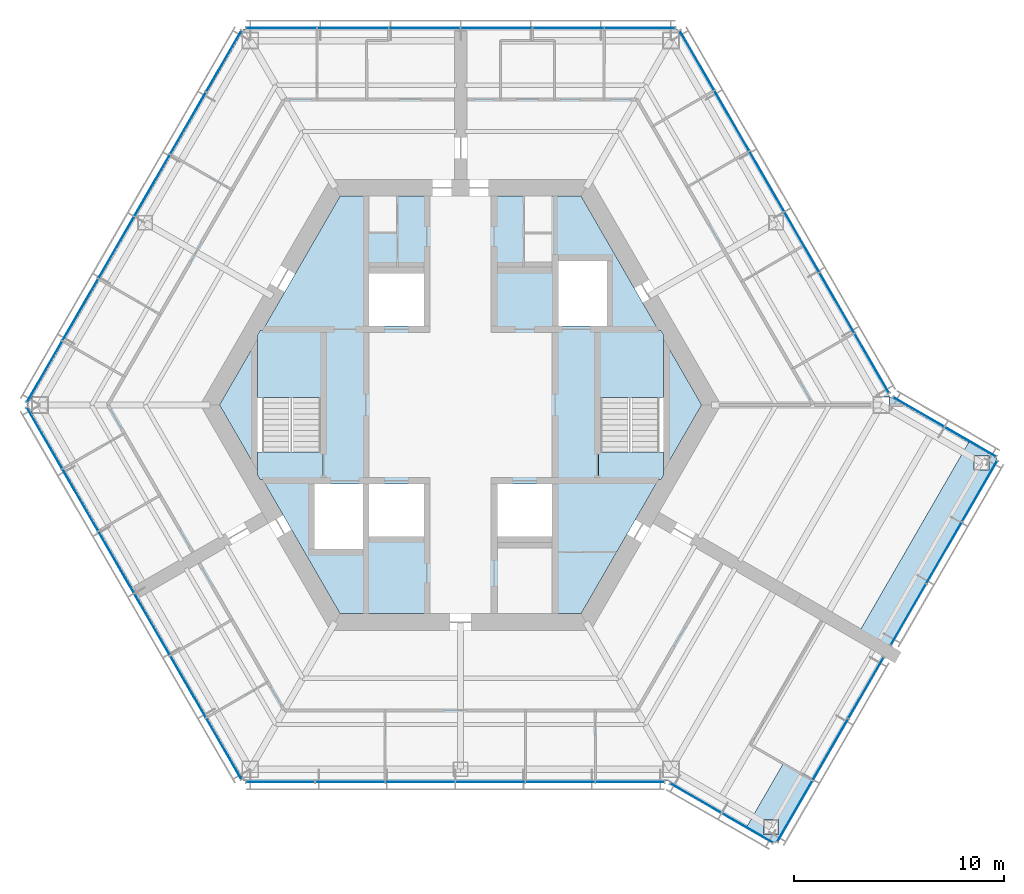
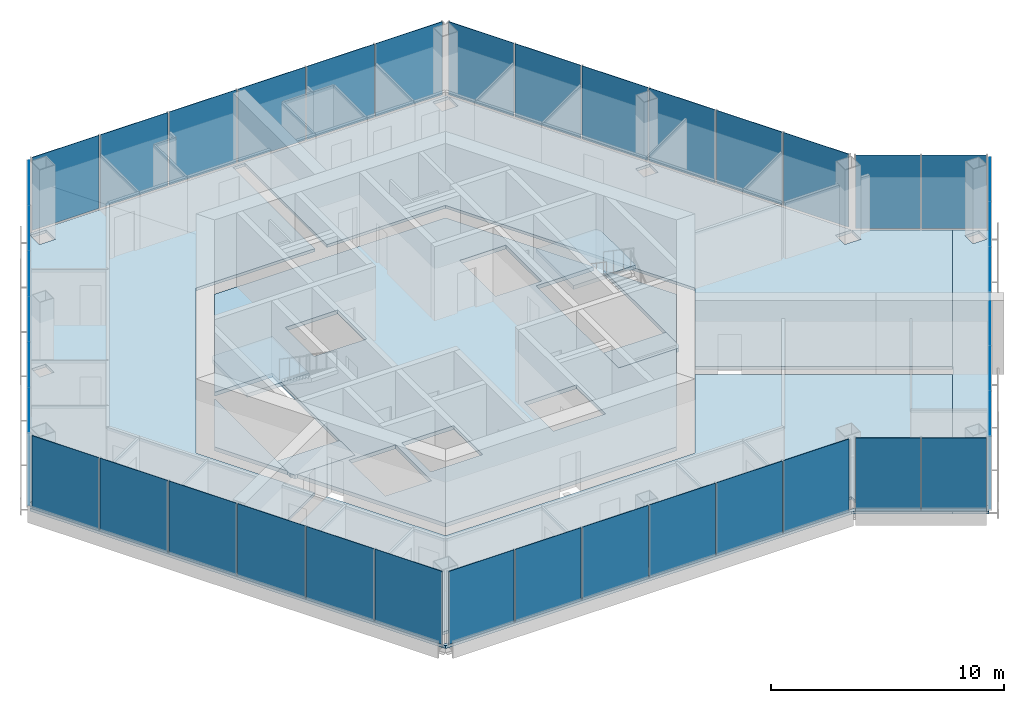
# One storey, part 6 of 13: 40 plates, 9 slabs, 11 elements without a shape of their own.
"""IFC4 building model written with IfcOpenShell, lengths in metres."""

import ifcopenshell
import ifcopenshell.guid

model = None  # the IFC model being written
_history = None  # IfcOwnerHistory: only IFC2X3 demands one
_inside = {}  # id of a spatial element -> (the spatial element, [elements in it])
_under = {}  # id of a project, library or spatial element -> (it, [spatial elements below it])
_declared = {}  # id of a project -> (the project, [libraries it declares])
_typed = {}  # id of a type object -> (the type object, [elements of that type])
_made_of = {}  # id of a material, layer set ... -> (it, [elements and type objects made of it])


def new_model(schema):
    """Start an empty IFC model of exactly this schema.

    Asked for "IFC4X3", IfcOpenShell would pick the latest addendum, in which some entities
    have other attributes; the version numbers below select the first issue.
    IFC2X3 requires an IfcOwnerHistory on every rooted entity: one is made here for all.
    """
    global model, _history
    if schema == "IFC4X3":
        model = ifcopenshell.file(schema_version=(4, 3, 0, 0))
    else:
        model = ifcopenshell.file(schema=schema)
    _inside.clear()
    _under.clear()
    _declared.clear()
    _typed.clear()
    _made_of.clear()
    _history = None
    if model.schema == "IFC2X3":
        org = make("IfcOrganization", Name="unknown")
        user = make(
            "IfcPersonAndOrganization",
            ThePerson=make("IfcPerson", FamilyName="unknown"),
            TheOrganization=org,
        )
        app = make(
            "IfcApplication",
            ApplicationDeveloper=org,
            Version="unknown",
            ApplicationFullName="unknown",
            ApplicationIdentifier="unknown",
        )
        _history = make(
            "IfcOwnerHistory",
            OwningUser=user,
            OwningApplication=app,
            ChangeAction="ADDED",
            CreationDate=0,
        )
    return model


def make(cls, **values):
    """One entity of the class cls with the attributes given. An attribute that is None is left unset."""
    return model.create_entity(
        cls, **{name: value for name, value in values.items() if value is not None}
    )


def rooted(cls, **values):
    """An entity with a GlobalId (a new one), such as an element, a storey or a relation."""
    return make(cls, GlobalId=ifcopenshell.guid.new(), OwnerHistory=_history, **values)


def si_unit(unit_type, name, prefix=None):
    """IfcSIUnit, for example si_unit("LENGTHUNIT", "METRE", prefix="MILLI")."""
    return make("IfcSIUnit", UnitType=unit_type, Prefix=prefix, Name=name)


def assignment(units):
    """IfcUnitAssignment: the units of a project."""
    return None if units is None else make("IfcUnitAssignment", Units=units)


def point(xyz):
    """IfcCartesianPoint."""
    return None if xyz is None else make("IfcCartesianPoint", Coordinates=xyz)


def direction(xyz):
    """IfcDirection."""
    return None if xyz is None else make("IfcDirection", DirectionRatios=xyz)


def frame(location, z_axis=None, x_axis=None):
    """IfcAxis2Placement3D, a coordinate frame: its origin and axes. An axis left out is left unset."""
    return make(
        "IfcAxis2Placement3D",
        Location=point(location),
        Axis=direction(z_axis),
        RefDirection=direction(x_axis),
    )


def frame_2d(location, x_axis=None):
    """IfcAxis2Placement2D, a coordinate frame in the plane: its origin and x axis."""
    return make(
        "IfcAxis2Placement2D", Location=point(location), RefDirection=direction(x_axis)
    )


def origin():
    """The frame at (0, 0, 0) with its axes left unset."""
    return frame((0.0, 0.0, 0.0))


def origin_2d():
    """The frame at (0, 0) in the plane with its x axis left unset."""
    return frame_2d((0.0, 0.0))


def place(relative_to, where):
    """IfcLocalPlacement: puts the frame where relative to a parent placement (None: the world)."""
    return make(
        "IfcLocalPlacement", PlacementRelTo=relative_to, RelativePlacement=where
    )


def context(
    kind, dimensions, precision=None, world=None, true_north=None, identifier=None
):
    """IfcGeometricRepresentationContext, for example the 3D "Model" context."""
    return make(
        "IfcGeometricRepresentationContext",
        ContextIdentifier=identifier,
        ContextType=kind,
        CoordinateSpaceDimension=dimensions,
        Precision=precision,
        WorldCoordinateSystem=world,
        TrueNorth=true_north,
    )


def subcontext(parent, identifier, kind, view, scale=None):
    """IfcGeometricRepresentationSubContext, for example "Body" below "Model"."""
    return make(
        "IfcGeometricRepresentationSubContext",
        ContextIdentifier=identifier,
        ContextType=kind,
        ParentContext=parent,
        TargetScale=scale,
        TargetView=view,
    )


def project(units=None, contexts=None):
    """IfcProject with its units and contexts."""
    return rooted(
        "IfcProject",
        Name="project",
        RepresentationContexts=contexts,
        UnitsInContext=assignment(units),
    )


def spatial(cls, under=None, at=None, **own):
    """A site, building, storey or space (cls), placed at a placement, below another one or the project."""
    s = rooted(cls, ObjectPlacement=at, **own)
    if under is not None:
        _under.setdefault(under.id(), (under, []))[1].append(s)
    return s


def polyline(points):
    """IfcPolyline through the points."""
    return make("IfcPolyline", Points=[point(p) for p in points])


def profile(cls, at=None, kind="AREA", **sizes):
    """A parametric profile (cls). Its sizes go by their IFC names, for example OverallWidth=200.0."""
    return make(cls, ProfileType=kind, Position=at, **sizes)


def rectangle(**sizes):
    """IfcRectangleProfileDef."""
    return profile("IfcRectangleProfileDef", **sizes)


def outline(outer, holes=None, kind="AREA"):
    """IfcArbitraryClosedProfileDef: a profile drawn as a closed curve; with holes, ...WithVoids."""
    if holes is None:
        return make("IfcArbitraryClosedProfileDef", ProfileType=kind, OuterCurve=outer)
    return make(
        "IfcArbitraryProfileDefWithVoids",
        ProfileType=kind,
        OuterCurve=outer,
        InnerCurves=holes,
    )


def extrude(swept, where, along, depth):
    """IfcExtrudedAreaSolid: the profile swept, set in the frame where, extruded along a direction by depth."""
    return make(
        "IfcExtrudedAreaSolid",
        SweptArea=swept,
        Position=where,
        ExtrudedDirection=direction(along),
        Depth=depth,
    )


def shape(context_of_items, identifier, shape_type, items):
    """IfcShapeRepresentation: the items that make up one representation, for example the "Body"."""
    return make(
        "IfcShapeRepresentation",
        ContextOfItems=context_of_items,
        RepresentationIdentifier=identifier,
        RepresentationType=shape_type,
        Items=items,
    )


def material(Name=None, Category=None):
    """IfcMaterial."""
    return make("IfcMaterial", Name=Name, Category=Category)


def layer(
    of_material, thickness, ventilated=None, Name=None, Category=None, Priority=None
):
    """IfcMaterialLayer: one layer of a wall or slab, of a material (None: an air gap)."""
    return make(
        "IfcMaterialLayer",
        Material=of_material,
        LayerThickness=thickness,
        IsVentilated=ventilated,
        Name=Name,
        Category=Category,
        Priority=Priority,
    )


def layer_set(layers, Name=None):
    """IfcMaterialLayerSet."""
    return make("IfcMaterialLayerSet", MaterialLayers=layers, LayerSetName=Name)


def made_of(thing, what):
    """Note that an element or type object is made of a material, layer set ...; save() writes the relation."""
    if what is not None:
        _made_of.setdefault(what.id(), (what, []))[1].append(thing)
    return thing


def type_object(cls, material=None, **own):
    """A type object (cls), such as IfcWallType, which elements share."""
    return made_of(rooted(cls, **own), material)


def element(
    cls,
    number,
    at=None,
    inside=None,
    cuts=None,
    type_object=None,
    material=None,
    context=None,
    identifier="Body",
    shape_type=None,
    held_by="IfcProductDefinitionShape",
    body=None,
    shapes=None,
    **own,
):
    """One element of the class cls, such as IfcWall. Its Tag is "e" and its number.

    at: its placement. inside: the storey or other place that contains it. cuts: it is an
    opening in that element (IfcRelVoidsElement). A single representation is given by context,
    identifier, shape_type and body (its items); several are given by shapes. held_by: the class
    of the entity that holds the representations. save() writes the other relations.
    """
    e = rooted(cls, Tag="e%d" % number, ObjectPlacement=at, **own)
    if body is not None:
        shapes = [shape(context, identifier, shape_type, body)]
    if shapes is not None:
        e.Representation = make(held_by, Representations=shapes)
    if inside is not None:
        _inside.setdefault(inside.id(), (inside, []))[1].append(e)
    if cuts is not None:
        rooted(
            "IfcRelVoidsElement", RelatingBuildingElement=cuts, RelatedOpeningElement=e
        )
    if type_object is not None:
        _typed.setdefault(type_object.id(), (type_object, []))[1].append(e)
    return made_of(e, material)


def aggregate(whole, parts):
    """IfcRelAggregates: a whole, such as a stair, and the parts it consists of."""
    return rooted("IfcRelAggregates", RelatingObject=whole, RelatedObjects=parts)


def save(model, path):
    """Write the relations noted so far, then the file.

    IfcRelAggregates (storeys below a building ...), IfcRelContainedInSpatialStructure (elements
    in a storey), IfcRelDefinesByType, IfcRelAssociatesMaterial and IfcRelDeclares: one each for
    every whole, place, type object, material and project.
    """
    for whole, parts in _under.values():
        aggregate(whole, parts)
    for where, things in _inside.values():
        rooted(
            "IfcRelContainedInSpatialStructure",
            RelatedElements=things,
            RelatingStructure=where,
        )
    for kind, things in _typed.values():
        rooted("IfcRelDefinesByType", RelatedObjects=things, RelatingType=kind)
    for what, things in _made_of.values():
        rooted("IfcRelAssociatesMaterial", RelatedObjects=things, RelatingMaterial=what)
    for by, libraries in _declared.values():
        rooted("IfcRelDeclares", RelatingContext=by, RelatedDefinitions=libraries)
    model.write(path)


model = new_model("IFC4")

# Units and contexts
model_context = context("Model", 3, precision=1e-05, world=origin(), true_north=direction((0.0, 1.0)))
body_context = subcontext(model_context, "Body", "Model", "MODEL_VIEW")
ifc_project = project(units=[si_unit("LENGTHUNIT", "METRE"), si_unit("AREAUNIT", "SQUARE_METRE"), si_unit("VOLUMEUNIT", "CUBIC_METRE"), si_unit("PLANEANGLEUNIT", "RADIAN"), si_unit("MASSUNIT", "GRAM", prefix="KILO")], contexts=[model_context])

# Site, building, storey
site_placement = place(None, origin())
site = spatial("IfcSite", under=ifc_project, at=site_placement, CompositionType="ELEMENT")
building_placement = place(site_placement, origin())
building = spatial("IfcBuilding", under=site, at=building_placement, Name="Kasaneha Research Tower", CompositionType="ELEMENT")
storey_placement = place(building_placement, frame((0.0, 0.0, 294.699951171875)))
storey = spatial("IfcBuildingStorey", under=building, at=storey_placement, Name="L74", CompositionType="ELEMENT", Elevation=294.699951171875)

# Curtain wall, plates
ifc_material_1 = material(Name="Glass and aluminium", Category="aluminium")
curtain_wall_type = type_object("IfcCurtainWallType", Name="Crown curtain wall", PredefinedType="USERDEFINED", material=ifc_material_1)
curtain_wall_1_placement = place(storey_placement, origin())
curtain_wall_1 = element("IfcCurtainWall", 1, at=curtain_wall_1_placement, inside=storey, type_object=curtain_wall_type, Name="CW-C L74 run 01a", ObjectType="UNITISED CURTAIN WALL", PredefinedType="USERDEFINED")
ifc_material_2 = material(Name="Laminated double glazing", Category="glass")
ifc_layer_1 = layer(ifc_material_2, 0.02587890625)
ifc_layer_set_1 = layer_set([ifc_layer_1], Name="CW-C glazed panel")
plate_type = type_object("IfcPlateType", Name="CW-C glazed panel", PredefinedType="CURTAIN_PANEL", material=ifc_layer_set_1)
plate_1_placement = place(storey_placement, frame((19.549072265625, 1.981201171875, 0.06005859375), z_axis=(0.0, 0.0, 1.0), x_axis=(-0.499999979232, 0.866025415775, 0.0)))
plate_1 = element("IfcPlate", 2, at=plate_1_placement, type_object=plate_type, Name="CW-C panel 1", PredefinedType="CURTAIN_PANEL", context=body_context, shape_type="SweptSolid", body=[
    extrude(rectangle(XDim=3.240966796875, YDim=0.02587890625, at=origin_2d()), origin(), (0.0, 0.0, 1.0), 3.840087890625),
])
plate_2_placement = place(storey_placement, frame((17.89111328125, 4.852783203125, 0.06005859375), z_axis=(0.0, 0.0, 1.0), x_axis=(-0.499999979232, 0.866025415775, 0.0)))
plate_2 = element("IfcPlate", 3, at=plate_2_placement, type_object=plate_type, Name="CW-C panel 2", PredefinedType="CURTAIN_PANEL", context=body_context, shape_type="SweptSolid", body=[
    extrude(rectangle(XDim=3.27099609375, YDim=0.02587890625, at=origin_2d()), origin(), (0.0, 0.0, 1.0), 3.840087890625),
])
plate_3_placement = place(storey_placement, frame((16.2255859375, 7.737548828125, 0.06005859375), z_axis=(0.0, 0.0, 1.0), x_axis=(-0.499999979232, 0.866025415775, 0.0)))
plate_3 = element("IfcPlate", 4, at=plate_3_placement, type_object=plate_type, Name="CW-C panel 3", PredefinedType="CURTAIN_PANEL", context=body_context, shape_type="SweptSolid", body=[
    extrude(rectangle(XDim=3.27099609375, YDim=0.02587890625, at=origin_2d()), origin(), (0.0, 0.0, 1.0), 3.840087890625),
])
plate_4_placement = place(storey_placement, frame((14.56005859375, 10.622314453125, 0.06005859375), z_axis=(0.0, 0.0, 1.0), x_axis=(-0.499999979232, 0.866025415775, 0.0)))
plate_4 = element("IfcPlate", 5, at=plate_4_placement, type_object=plate_type, Name="CW-C panel 4", PredefinedType="CURTAIN_PANEL", context=body_context, shape_type="SweptSolid", body=[
    extrude(rectangle(XDim=3.27099609375, YDim=0.02587890625, at=origin_2d()), origin(), (0.0, 0.0, 1.0), 3.840087890625),
])
plate_5_placement = place(storey_placement, frame((12.89453125, 13.5068359375, 0.06005859375), z_axis=(0.0, 0.0, 1.0), x_axis=(-0.499999979232, 0.866025415775, 0.0)))
plate_5 = element("IfcPlate", 6, at=plate_5_placement, type_object=plate_type, Name="CW-C panel 5", PredefinedType="CURTAIN_PANEL", context=body_context, shape_type="SweptSolid", body=[
    extrude(rectangle(XDim=3.27099609375, YDim=0.02587890625, at=origin_2d()), origin(), (0.0, 0.0, 1.0), 3.840087890625),
])
plate_6_placement = place(storey_placement, frame((11.236572265625, 16.378662109375, 0.06005859375), z_axis=(0.0, 0.0, 1.0), x_axis=(-0.499999979232, 0.866025415775, 0.0)))
plate_6 = element("IfcPlate", 7, at=plate_6_placement, type_object=plate_type, Name="CW-C panel 6", PredefinedType="CURTAIN_PANEL", context=body_context, shape_type="SweptSolid", body=[
    extrude(rectangle(XDim=3.240966796875, YDim=0.02587890625, at=origin_2d()), origin(), (0.0, 0.0, 1.0), 3.840087890625),
])
aggregate(curtain_wall_1, [plate_1, plate_2, plate_3, plate_4, plate_5, plate_6])

curtain_wall_2_placement = place(storey_placement, origin())
curtain_wall_2 = element("IfcCurtainWall", 8, at=curtain_wall_2_placement, inside=storey, type_object=curtain_wall_type, Name="CW-C L74 run 02a", ObjectType="UNITISED CURTAIN WALL", PredefinedType="USERDEFINED")
plate_7_placement = place(storey_placement, frame((8.523681640625, 17.92041015625, 0.06005859375), z_axis=(0.0, 0.0, 1.0), x_axis=(-1.0, 0.0, 0.0)))
plate_7 = element("IfcPlate", 9, at=plate_7_placement, type_object=plate_type, Name="CW-C panel 1", PredefinedType="CURTAIN_PANEL", context=body_context, shape_type="SweptSolid", body=[
    extrude(rectangle(XDim=3.325439453125, YDim=0.02587890625, at=origin_2d()), origin(), (0.0, 0.0, 1.0), 3.840087890625),
])
plate_8_placement = place(storey_placement, frame((5.123291015625, 17.92041015625, 0.06005859375), z_axis=(0.0, 0.0, 1.0), x_axis=(-1.0, 0.0, 0.0)))
plate_8 = element("IfcPlate", 10, at=plate_8_placement, type_object=plate_type, Name="CW-C panel 2", PredefinedType="CURTAIN_PANEL", context=body_context, shape_type="SweptSolid", body=[
    extrude(rectangle(XDim=3.35546875, YDim=0.02587890625, at=origin_2d()), origin(), (0.0, 0.0, 1.0), 3.840087890625),
])
plate_9_placement = place(storey_placement, frame((1.707763671875, 17.92041015625, 0.06005859375), z_axis=(0.0, 0.0, 1.0), x_axis=(-1.0, 0.0, 0.0)))
plate_9 = element("IfcPlate", 11, at=plate_9_placement, type_object=plate_type, Name="CW-C panel 3", PredefinedType="CURTAIN_PANEL", context=body_context, shape_type="SweptSolid", body=[
    extrude(rectangle(XDim=3.35546875, YDim=0.02587890625, at=origin_2d()), origin(), (0.0, 0.0, 1.0), 3.840087890625),
])
plate_10_placement = place(storey_placement, frame((-1.707763671875, 17.92041015625, 0.06005859375), z_axis=(0.0, 0.0, 1.0), x_axis=(-1.0, 0.0, 0.0)))
plate_10 = element("IfcPlate", 12, at=plate_10_placement, type_object=plate_type, Name="CW-C panel 4", PredefinedType="CURTAIN_PANEL", context=body_context, shape_type="SweptSolid", body=[
    extrude(rectangle(XDim=3.35546875, YDim=0.02587890625, at=origin_2d()), origin(), (0.0, 0.0, 1.0), 3.840087890625),
])
plate_11_placement = place(storey_placement, frame((-5.123291015625, 17.92041015625, 0.06005859375), z_axis=(0.0, 0.0, 1.0), x_axis=(-1.0, 0.0, 0.0)))
plate_11 = element("IfcPlate", 13, at=plate_11_placement, type_object=plate_type, Name="CW-C panel 5", PredefinedType="CURTAIN_PANEL", context=body_context, shape_type="SweptSolid", body=[
    extrude(rectangle(XDim=3.35546875, YDim=0.02587890625, at=origin_2d()), origin(), (0.0, 0.0, 1.0), 3.840087890625),
])
plate_12_placement = place(storey_placement, frame((-8.523681640625, 17.92041015625, 0.06005859375), z_axis=(0.0, 0.0, 1.0), x_axis=(-1.0, 0.0, 0.0)))
plate_12 = element("IfcPlate", 14, at=plate_12_placement, type_object=plate_type, Name="CW-C panel 6", PredefinedType="CURTAIN_PANEL", context=body_context, shape_type="SweptSolid", body=[
    extrude(rectangle(XDim=3.325439453125, YDim=0.02587890625, at=origin_2d()), origin(), (0.0, 0.0, 1.0), 3.840087890625),
])
aggregate(curtain_wall_2, [plate_7, plate_8, plate_9, plate_10, plate_11, plate_12])

curtain_wall_3_placement = place(storey_placement, origin())
curtain_wall_3 = element("IfcCurtainWall", 15, at=curtain_wall_3_placement, inside=storey, type_object=curtain_wall_type, Name="CW-C L74 run 03a", ObjectType="UNITISED CURTAIN WALL", PredefinedType="USERDEFINED")
plate_13_placement = place(storey_placement, frame((-11.2578125, 16.342041015625, 0.06005859375), z_axis=(0.0, 0.0, 1.0), x_axis=(-0.499999995722, -0.866025406254, 0.0)))
plate_13 = element("IfcPlate", 16, at=plate_13_placement, type_object=plate_type, Name="CW-C panel 1", PredefinedType="CURTAIN_PANEL", context=body_context, shape_type="SweptSolid", body=[
    extrude(rectangle(XDim=3.325439453125, YDim=0.02587890625, at=origin_2d()), origin(), (0.0, 0.0, 1.0), 3.840087890625),
])
plate_14_placement = place(storey_placement, frame((-12.9580078125, 13.39697265625, 0.06005859375), z_axis=(0.0, 0.0, 1.0), x_axis=(-0.499999995722, -0.866025406254, 0.0)))
plate_14 = element("IfcPlate", 17, at=plate_14_placement, type_object=plate_type, Name="CW-C panel 2", PredefinedType="CURTAIN_PANEL", context=body_context, shape_type="SweptSolid", body=[
    extrude(rectangle(XDim=3.35546875, YDim=0.02587890625, at=origin_2d()), origin(), (0.0, 0.0, 1.0), 3.840087890625),
])
plate_15_placement = place(storey_placement, frame((-14.665771484375, 10.439208984375, 0.06005859375), z_axis=(0.0, 0.0, 1.0), x_axis=(-0.499999995722, -0.866025406254, 0.0)))
plate_15 = element("IfcPlate", 18, at=plate_15_placement, type_object=plate_type, Name="CW-C panel 3", PredefinedType="CURTAIN_PANEL", context=body_context, shape_type="SweptSolid", body=[
    extrude(rectangle(XDim=3.35546875, YDim=0.02587890625, at=origin_2d()), origin(), (0.0, 0.0, 1.0), 3.840087890625),
])
plate_16_placement = place(storey_placement, frame((-16.37353515625, 7.481201171875, 0.06005859375), z_axis=(0.0, 0.0, 1.0), x_axis=(-0.499999995722, -0.866025406254, 0.0)))
plate_16 = element("IfcPlate", 19, at=plate_16_placement, type_object=plate_type, Name="CW-C panel 4", PredefinedType="CURTAIN_PANEL", context=body_context, shape_type="SweptSolid", body=[
    extrude(rectangle(XDim=3.35546875, YDim=0.02587890625, at=origin_2d()), origin(), (0.0, 0.0, 1.0), 3.840087890625),
])
plate_17_placement = place(storey_placement, frame((-18.081298828125, 4.5234375, 0.06005859375), z_axis=(0.0, 0.0, 1.0), x_axis=(-0.499999995722, -0.866025406254, 0.0)))
plate_17 = element("IfcPlate", 20, at=plate_17_placement, type_object=plate_type, Name="CW-C panel 5", PredefinedType="CURTAIN_PANEL", context=body_context, shape_type="SweptSolid", body=[
    extrude(rectangle(XDim=3.35546875, YDim=0.02587890625, at=origin_2d()), origin(), (0.0, 0.0, 1.0), 3.840087890625),
])
plate_18_placement = place(storey_placement, frame((-19.781494140625, 1.57861328125, 0.06005859375), z_axis=(0.0, 0.0, 1.0), x_axis=(-0.499999995722, -0.866025406254, 0.0)))
plate_18 = element("IfcPlate", 21, at=plate_18_placement, type_object=plate_type, Name="CW-C panel 6", PredefinedType="CURTAIN_PANEL", context=body_context, shape_type="SweptSolid", body=[
    extrude(rectangle(XDim=3.325439453125, YDim=0.02587890625, at=origin_2d()), origin(), (0.0, 0.0, 1.0), 3.840087890625),
])
aggregate(curtain_wall_3, [plate_13, plate_14, plate_15, plate_16, plate_17, plate_18])

curtain_wall_4_placement = place(storey_placement, origin())
curtain_wall_4 = element("IfcCurtainWall", 22, at=curtain_wall_4_placement, inside=storey, type_object=curtain_wall_type, Name="CW-C L74 run 04a", ObjectType="UNITISED CURTAIN WALL", PredefinedType="USERDEFINED")
plate_19_placement = place(storey_placement, frame((-19.781494140625, -1.57861328125, 0.06005859375), z_axis=(0.0, 0.0, 1.0), x_axis=(0.499999995722, -0.866025406254, 0.0)))
plate_19 = element("IfcPlate", 23, at=plate_19_placement, type_object=plate_type, Name="CW-C panel 1", PredefinedType="CURTAIN_PANEL", context=body_context, shape_type="SweptSolid", body=[
    extrude(rectangle(XDim=3.325439453125, YDim=0.02587890625, at=origin_2d()), origin(), (0.0, 0.0, 1.0), 3.840087890625),
])
plate_20_placement = place(storey_placement, frame((-18.081298828125, -4.5234375, 0.06005859375), z_axis=(0.0, 0.0, 1.0), x_axis=(0.499999995722, -0.866025406254, 0.0)))
plate_20 = element("IfcPlate", 24, at=plate_20_placement, type_object=plate_type, Name="CW-C panel 2", PredefinedType="CURTAIN_PANEL", context=body_context, shape_type="SweptSolid", body=[
    extrude(rectangle(XDim=3.35546875, YDim=0.02587890625, at=origin_2d()), origin(), (0.0, 0.0, 1.0), 3.840087890625),
])
plate_21_placement = place(storey_placement, frame((-16.37353515625, -7.481201171875, 0.06005859375), z_axis=(0.0, 0.0, 1.0), x_axis=(0.499999995722, -0.866025406254, 0.0)))
plate_21 = element("IfcPlate", 25, at=plate_21_placement, type_object=plate_type, Name="CW-C panel 3", PredefinedType="CURTAIN_PANEL", context=body_context, shape_type="SweptSolid", body=[
    extrude(rectangle(XDim=3.35546875, YDim=0.02587890625, at=origin_2d()), origin(), (0.0, 0.0, 1.0), 3.840087890625),
])
plate_22_placement = place(storey_placement, frame((-14.665771484375, -10.439208984375, 0.06005859375), z_axis=(0.0, 0.0, 1.0), x_axis=(0.499999995722, -0.866025406254, 0.0)))
plate_22 = element("IfcPlate", 26, at=plate_22_placement, type_object=plate_type, Name="CW-C panel 4", PredefinedType="CURTAIN_PANEL", context=body_context, shape_type="SweptSolid", body=[
    extrude(rectangle(XDim=3.35546875, YDim=0.02587890625, at=origin_2d()), origin(), (0.0, 0.0, 1.0), 3.840087890625),
])
plate_23_placement = place(storey_placement, frame((-12.9580078125, -13.39697265625, 0.06005859375), z_axis=(0.0, 0.0, 1.0), x_axis=(0.499999995722, -0.866025406254, 0.0)))
plate_23 = element("IfcPlate", 27, at=plate_23_placement, type_object=plate_type, Name="CW-C panel 5", PredefinedType="CURTAIN_PANEL", context=body_context, shape_type="SweptSolid", body=[
    extrude(rectangle(XDim=3.35546875, YDim=0.02587890625, at=origin_2d()), origin(), (0.0, 0.0, 1.0), 3.840087890625),
])
plate_24_placement = place(storey_placement, frame((-11.2578125, -16.342041015625, 0.06005859375), z_axis=(0.0, 0.0, 1.0), x_axis=(0.499999995722, -0.866025406254, 0.0)))
plate_24 = element("IfcPlate", 28, at=plate_24_placement, type_object=plate_type, Name="CW-C panel 6", PredefinedType="CURTAIN_PANEL", context=body_context, shape_type="SweptSolid", body=[
    extrude(rectangle(XDim=3.325439453125, YDim=0.02587890625, at=origin_2d()), origin(), (0.0, 0.0, 1.0), 3.840087890625),
])
aggregate(curtain_wall_4, [plate_19, plate_20, plate_21, plate_22, plate_23, plate_24])

curtain_wall_5_placement = place(storey_placement, origin())
curtain_wall_5 = element("IfcCurtainWall", 29, at=curtain_wall_5_placement, inside=storey, type_object=curtain_wall_type, Name="CW-C L74 run 05a", ObjectType="UNITISED CURTAIN WALL", PredefinedType="USERDEFINED")
plate_25_placement = place(storey_placement, frame((-8.56591796875, -17.92041015625, 0.06005859375), z_axis=(0.0, 0.0, 1.0), x_axis=(1.0, 0.0, 0.0)))
plate_25 = element("IfcPlate", 30, at=plate_25_placement, type_object=plate_type, Name="CW-C panel 1", PredefinedType="CURTAIN_PANEL", context=body_context, shape_type="SweptSolid", body=[
    extrude(rectangle(XDim=3.240966796875, YDim=0.02587890625, at=origin_2d()), origin(), (0.0, 0.0, 1.0), 3.840087890625),
])
plate_26_placement = place(storey_placement, frame((-5.25, -17.92041015625, 0.06005859375), z_axis=(0.0, 0.0, 1.0), x_axis=(1.0, 0.0, 0.0)))
plate_26 = element("IfcPlate", 31, at=plate_26_placement, type_object=plate_type, Name="CW-C panel 2", PredefinedType="CURTAIN_PANEL", context=body_context, shape_type="SweptSolid", body=[
    extrude(rectangle(XDim=3.27099609375, YDim=0.02587890625, at=origin_2d()), origin(), (0.0, 0.0, 1.0), 3.840087890625),
])
plate_27_placement = place(storey_placement, frame((-1.9189453125, -17.92041015625, 0.06005859375), z_axis=(0.0, 0.0, 1.0), x_axis=(1.0, 0.0, 0.0)))
plate_27 = element("IfcPlate", 32, at=plate_27_placement, type_object=plate_type, Name="CW-C panel 3", PredefinedType="CURTAIN_PANEL", context=body_context, shape_type="SweptSolid", body=[
    extrude(rectangle(XDim=3.27099609375, YDim=0.02587890625, at=origin_2d()), origin(), (0.0, 0.0, 1.0), 3.840087890625),
])
plate_28_placement = place(storey_placement, frame((1.411865234375, -17.92041015625, 0.06005859375), z_axis=(0.0, 0.0, 1.0), x_axis=(1.0, 0.0, 0.0)))
plate_28 = element("IfcPlate", 33, at=plate_28_placement, type_object=plate_type, Name="CW-C panel 4", PredefinedType="CURTAIN_PANEL", context=body_context, shape_type="SweptSolid", body=[
    extrude(rectangle(XDim=3.27099609375, YDim=0.02587890625, at=origin_2d()), origin(), (0.0, 0.0, 1.0), 3.840087890625),
])
plate_29_placement = place(storey_placement, frame((4.742919921875, -17.92041015625, 0.06005859375), z_axis=(0.0, 0.0, 1.0), x_axis=(1.0, 0.0, 0.0)))
plate_29 = element("IfcPlate", 34, at=plate_29_placement, type_object=plate_type, Name="CW-C panel 5", PredefinedType="CURTAIN_PANEL", context=body_context, shape_type="SweptSolid", body=[
    extrude(rectangle(XDim=3.27099609375, YDim=0.02587890625, at=origin_2d()), origin(), (0.0, 0.0, 1.0), 3.840087890625),
])
plate_30_placement = place(storey_placement, frame((8.058837890625, -17.92041015625, 0.06005859375), z_axis=(0.0, 0.0, 1.0), x_axis=(1.0, 0.0, 0.0)))
plate_30 = element("IfcPlate", 35, at=plate_30_placement, type_object=plate_type, Name="CW-C panel 6", PredefinedType="CURTAIN_PANEL", context=body_context, shape_type="SweptSolid", body=[
    extrude(rectangle(XDim=3.240966796875, YDim=0.02587890625, at=origin_2d()), origin(), (0.0, 0.0, 1.0), 3.840087890625),
])
aggregate(curtain_wall_5, [plate_25, plate_26, plate_27, plate_28, plate_29, plate_30])

curtain_wall_6_placement = place(storey_placement, origin())
curtain_wall_6 = element("IfcCurtainWall", 36, at=curtain_wall_6_placement, inside=storey, type_object=curtain_wall_type, Name="CW-C L74 run 06a", ObjectType="UNITISED CURTAIN WALL", PredefinedType="USERDEFINED")
plate_31_placement = place(storey_placement, frame((11.181396484375, -18.6953125, 0.06005859375), z_axis=(0.0, 0.0, 1.0), x_axis=(0.866025443395, -0.499999931393, 0.0)))
plate_31 = element("IfcPlate", 37, at=plate_31_placement, type_object=plate_type, Name="CW-C panel 1", PredefinedType="CURTAIN_PANEL", context=body_context, shape_type="SweptSolid", body=[
    extrude(rectangle(XDim=2.779541015625, YDim=0.02587890625, at=origin_2d()), origin(), (0.0, 0.0, 1.0), 3.840087890625),
])
plate_32_placement = place(storey_placement, frame((13.640625, -20.115234375, 0.06005859375), z_axis=(0.0, 0.0, 1.0), x_axis=(0.866025443395, -0.499999931393, 0.0)))
plate_32 = element("IfcPlate", 38, at=plate_32_placement, type_object=plate_type, Name="CW-C panel 2", PredefinedType="CURTAIN_PANEL", context=body_context, shape_type="SweptSolid", body=[
    extrude(rectangle(XDim=2.779541015625, YDim=0.02587890625, at=origin_2d()), origin(), (0.0, 0.0, 1.0), 3.840087890625),
])
aggregate(curtain_wall_6, [plate_31, plate_32])

curtain_wall_7_placement = place(storey_placement, origin())
curtain_wall_7 = element("IfcCurtainWall", 39, at=curtain_wall_7_placement, inside=storey, type_object=curtain_wall_type, Name="CW-C L74 run 07a", ObjectType="UNITISED CURTAIN WALL", PredefinedType="USERDEFINED")
plate_33_placement = place(storey_placement, frame((15.89013671875, -19.318359375, 0.06005859375), z_axis=(0.0, 0.0, 1.0), x_axis=(0.500000011442, 0.866025397178, 0.0)))
plate_33 = element("IfcPlate", 40, at=plate_33_placement, type_object=plate_type, Name="CW-C panel 1", PredefinedType="CURTAIN_PANEL", context=body_context, shape_type="SweptSolid", body=[
    extrude(rectangle(XDim=3.31005859375, YDim=0.02587890625, at=origin_2d()), origin(), (0.0, 0.0, 1.0), 3.840087890625),
])
plate_34_placement = place(storey_placement, frame((17.582763671875, -16.38671875, 0.06005859375), z_axis=(0.0, 0.0, 1.0), x_axis=(0.500000011442, 0.866025397178, 0.0)))
plate_34 = element("IfcPlate", 41, at=plate_34_placement, type_object=plate_type, Name="CW-C panel 2", PredefinedType="CURTAIN_PANEL", context=body_context, shape_type="SweptSolid", body=[
    extrude(rectangle(XDim=3.340087890625, YDim=0.02587890625, at=origin_2d()), origin(), (0.0, 0.0, 1.0), 3.840087890625),
])
plate_35_placement = place(storey_placement, frame((19.275146484375, -13.455322265625, 0.06005859375), z_axis=(0.0, 0.0, 1.0), x_axis=(0.500000011442, 0.866025397178, 0.0)))
plate_35 = element("IfcPlate", 42, at=plate_35_placement, type_object=plate_type, Name="CW-C panel 3", PredefinedType="CURTAIN_PANEL", context=body_context, shape_type="SweptSolid", body=[
    extrude(rectangle(XDim=3.31005859375, YDim=0.02587890625, at=origin_2d()), origin(), (0.0, 0.0, 1.0), 3.840087890625),
])
aggregate(curtain_wall_7, [plate_33, plate_34, plate_35])

curtain_wall_8_placement = place(storey_placement, origin())
curtain_wall_8 = element("IfcCurtainWall", 43, at=curtain_wall_8_placement, inside=storey, type_object=curtain_wall_type, Name="CW-C L74 run 08a", ObjectType="UNITISED CURTAIN WALL", PredefinedType="USERDEFINED")
plate_36_placement = place(storey_placement, frame((21.290283203125, -9.96533203125, 0.06005859375), z_axis=(0.0, 0.0, 1.0), x_axis=(0.500000011442, 0.866025397178, 0.0)))
plate_36 = element("IfcPlate", 44, at=plate_36_placement, type_object=plate_type, Name="CW-C panel 1", PredefinedType="CURTAIN_PANEL", context=body_context, shape_type="SweptSolid", body=[
    extrude(rectangle(XDim=3.31005859375, YDim=0.02587890625, at=origin_2d()), origin(), (0.0, 0.0, 1.0), 3.840087890625),
])
plate_37_placement = place(storey_placement, frame((22.982666015625, -7.03369140625, 0.06005859375), z_axis=(0.0, 0.0, 1.0), x_axis=(0.500000011442, 0.866025397178, 0.0)))
plate_37 = element("IfcPlate", 45, at=plate_37_placement, type_object=plate_type, Name="CW-C panel 2", PredefinedType="CURTAIN_PANEL", context=body_context, shape_type="SweptSolid", body=[
    extrude(rectangle(XDim=3.340087890625, YDim=0.02587890625, at=origin_2d()), origin(), (0.0, 0.0, 1.0), 3.840087890625),
])
plate_38_placement = place(storey_placement, frame((24.67529296875, -4.102294921875, 0.06005859375), z_axis=(0.0, 0.0, 1.0), x_axis=(0.500000011442, 0.866025397178, 0.0)))
plate_38 = element("IfcPlate", 46, at=plate_38_placement, type_object=plate_type, Name="CW-C panel 3", PredefinedType="CURTAIN_PANEL", context=body_context, shape_type="SweptSolid", body=[
    extrude(rectangle(XDim=3.31005859375, YDim=0.02587890625, at=origin_2d()), origin(), (0.0, 0.0, 1.0), 3.840087890625),
])
aggregate(curtain_wall_8, [plate_36, plate_37, plate_38])

curtain_wall_9_placement = place(storey_placement, origin())
curtain_wall_9 = element("IfcCurtainWall", 47, at=curtain_wall_9_placement, inside=storey, type_object=curtain_wall_type, Name="CW-C L74 run 09a", ObjectType="UNITISED CURTAIN WALL", PredefinedType="USERDEFINED")
plate_39_placement = place(storey_placement, frame((24.240478515625, -1.75537109375, 0.06005859375), z_axis=(0.0, 0.0, 1.0), x_axis=(-0.866025443395, 0.499999931393, 0.0)))
plate_39 = element("IfcPlate", 48, at=plate_39_placement, type_object=plate_type, Name="CW-C panel 1", PredefinedType="CURTAIN_PANEL", context=body_context, shape_type="SweptSolid", body=[
    extrude(rectangle(XDim=2.779541015625, YDim=0.02587890625, at=origin_2d()), origin(), (0.0, 0.0, 1.0), 3.840087890625),
])
plate_40_placement = place(storey_placement, frame((21.781494140625, -0.335693359375, 0.06005859375), z_axis=(0.0, 0.0, 1.0), x_axis=(-0.866025443395, 0.499999931393, 0.0)))
plate_40 = element("IfcPlate", 49, at=plate_40_placement, type_object=plate_type, Name="CW-C panel 2", PredefinedType="CURTAIN_PANEL", context=body_context, shape_type="SweptSolid", body=[
    extrude(rectangle(XDim=2.779541015625, YDim=0.02587890625, at=origin_2d()), origin(), (0.0, 0.0, 1.0), 3.840087890625),
])
aggregate(curtain_wall_9, [plate_39, plate_40])

# Slabs
ifc_material_3 = material(Name="Concrete Fc24", Category="concrete")
ifc_layer_2 = layer(ifc_material_3, 0.199951171875)
ifc_layer_set_2 = layer_set([ifc_layer_2], Name="Core floor slab 200")
slab_type_1 = type_object("IfcSlabType", Name="Core floor slab 200", PredefinedType="FLOOR", material=ifc_layer_set_2)
slab_1_placement = place(storey_placement, frame((0.0, 0.0, -0.199951171875)))
element("IfcSlab", 50, at=slab_1_placement, inside=storey, type_object=slab_type_1, Name="Core slab L74", PredefinedType="FLOOR", context=body_context, shape_type="SweptSolid", body=[
    extrude(outline(polyline([(-11.46044921875, 0.0), (-9.64990234375, 3.1357421875), (-9.64990234375, -3.1357421875), (-11.46044921875, 0.0)])), origin(), (0.0, 0.0, 1.0), 0.199951171875),
])
slab_2_placement = place(storey_placement, frame((0.0, 0.0, -0.199951171875)))
element("IfcSlab", 51, at=slab_2_placement, inside=storey, type_object=slab_type_1, Name="Core slab L74", PredefinedType="FLOOR", context=body_context, shape_type="SweptSolid", body=[
    extrude(outline(polyline([(-5.730224609375, 9.925048828125), (5.730224609375, 9.925048828125), (9.410888671875, 3.550048828125), (6.550048828125, 3.550048828125), (6.550048828125, -3.550048828125), (9.410888671875, -3.550048828125), (5.730224609375, -9.925048828125), (-5.730224609375, -9.925048828125), (-9.410888671875, -3.550048828125), (-6.550048828125, -3.550048828125), (-6.550048828125, 3.550048828125), (-9.410888671875, 3.550048828125), (-5.730224609375, 9.925048828125)]), holes=[polyline([(-6.949951171875, -6.85009765625), (-4.64990234375, -6.85009765625), (-4.64990234375, -3.75), (-6.949951171875, -3.75), (-6.949951171875, -6.85009765625)]), polyline([(-4.35009765625, -3.75), (-4.35009765625, -6.25), (-1.75, -6.25), (-1.75, -3.75), (-4.35009765625, -3.75)]), polyline([(1.75, -3.75), (1.75, -6.25), (4.35009765625, -6.25), (4.35009765625, -3.75), (1.75, -3.75)]), polyline([(-4.35009765625, 6.25), (-4.35009765625, 3.75), (-1.75, 3.75), (-1.75, 6.25), (-4.35009765625, 6.25)]), polyline([(4.64990234375, 6.85009765625), (4.64990234375, 3.75), (6.949951171875, 3.75), (6.949951171875, 6.85009765625), (4.64990234375, 6.85009765625)])]), origin(), (0.0, 0.0, 1.0), 0.199951171875),
])
slab_3_placement = place(storey_placement, frame((0.0, 0.0, -0.199951171875)))
element("IfcSlab", 52, at=slab_3_placement, inside=storey, type_object=slab_type_1, Name="Core slab L74", PredefinedType="FLOOR", context=body_context, shape_type="SweptSolid", body=[
    extrude(outline(polyline([(11.46044921875, 0.0), (9.64990234375, -3.1357421875), (9.64990234375, 3.1357421875), (11.46044921875, 0.0)])), origin(), (0.0, 0.0, 1.0), 0.199951171875),
])
ifc_material_4 = material(Name="Concrete Fc24", Category="concrete")
ifc_layer_3 = layer(ifc_material_4, 0.14990234375)
ifc_layer_set_3 = layer_set([ifc_layer_3], Name="Floor slab 150")
slab_type_2 = type_object("IfcSlabType", Name="Floor slab 150", PredefinedType="FLOOR", material=ifc_layer_set_3)
slab_4_placement = place(storey_placement, frame((0.0, 0.0, -0.14990234375)))
element("IfcSlab", 53, at=slab_4_placement, inside=storey, type_object=slab_type_2, Name="Floor slab L74 1", PredefinedType="FLOOR", context=body_context, shape_type="SweptSolid", body=[
    extrude(outline(polyline([(-10.317626953125, -17.87060546875), (-10.3974609375, -17.732177734375), (-10.385986328125, -17.720703125), (-9.599853515625, -17.720703125), (-9.599853515625, -16.92041015625), (-10.400146484375, -16.92041015625), (-10.400146484375, -17.70654296875), (-10.40771484375, -17.714111328125), (-20.635009765625, 0.0), (-20.40771484375, 0.3935546875), (-20.400146484375, 0.385986328125), (-20.400146484375, -0.400146484375), (-19.599853515625, -0.400146484375), (-19.599853515625, 0.400146484375), (-20.385986328125, 0.400146484375), (-20.3974609375, 0.41162109375), (-10.40771484375, 17.714111328125), (-10.400146484375, 17.70654296875), (-10.400146484375, 16.92041015625), (-9.599853515625, 16.92041015625), (-9.599853515625, 17.720703125), (-10.385986328125, 17.720703125), (-10.3974609375, 17.732177734375), (-10.317626953125, 17.87060546875), (10.317626953125, 17.87060546875), (10.3974609375, 17.732177734375), (10.385986328125, 17.720703125), (9.599853515625, 17.720703125), (9.599853515625, 16.92041015625), (10.400146484375, 16.92041015625), (10.400146484375, 17.70654296875), (10.40771484375, 17.714111328125), (20.3974609375, 0.41162109375), (20.385986328125, 0.400146484375), (19.599853515625, 0.400146484375), (19.599853515625, -0.400146484375), (20.400146484375, -0.400146484375), (20.400146484375, 0.385986328125), (20.41162109375, 0.3974609375), (24.163330078125, -1.768798828125), (19.038330078125, -10.6455078125), (9.438232421875, -5.102783203125), (12.38427734375, 0.0), (6.192138671875, 10.72509765625), (0.300048828125, 10.72509765625), (0.300048828125, 17.7705078125), (-0.300048828125, 17.7705078125), (-0.300048828125, 10.72509765625), (-6.192138671875, 10.72509765625), (-12.38427734375, 0.0), (-9.438232421875, -5.102783203125), (-15.539794921875, -8.62548828125), (-15.23974609375, -9.14501953125), (-9.13818359375, -5.622314453125), (-6.192138671875, -10.72509765625), (6.192138671875, -10.72509765625), (9.13818359375, -5.622314453125), (18.738525390625, -11.1650390625), (13.613525390625, -20.041748046875), (9.8525390625, -17.87060546875), (-10.317626953125, -17.87060546875)]), holes=[polyline([(0.35009765625, -17.67041015625), (0.35009765625, -16.970458984375), (-0.35009765625, -16.970458984375), (-0.35009765625, -17.67041015625), (0.35009765625, -17.67041015625)]), polyline([(-15.35009765625, 8.310302734375), (-14.64990234375, 8.310302734375), (-14.64990234375, 9.01025390625), (-15.35009765625, 9.01025390625), (-15.35009765625, 8.310302734375)]), polyline([(9.60009765625, -17.720458984375), (10.39990234375, -17.720458984375), (10.39990234375, -16.92041015625), (9.60009765625, -16.92041015625), (9.60009765625, -17.720458984375)]), polyline([(14.64990234375, 8.310302734375), (15.35009765625, 8.310302734375), (15.35009765625, 9.01025390625), (14.64990234375, 9.01025390625), (14.64990234375, 8.310302734375)])]), origin(), (0.0, 0.0, 1.0), 0.14990234375),
])
slab_5_placement = place(storey_placement, frame((0.0, 0.0, -0.14990234375)))
element("IfcSlab", 54, at=slab_5_placement, inside=storey, type_object=slab_type_2, Name="Floor slab L74 2", PredefinedType="FLOOR", context=body_context, shape_type="SweptSolid", body=[
    extrude(outline(polyline([(25.514404296875, -2.548583984375), (14.96435546875, -20.82177734375), (13.613525390625, -20.041748046875), (18.738525390625, -11.1650390625), (18.7470703125, -11.170166015625), (19.047119140625, -10.650390625), (19.038330078125, -10.6455078125), (24.163330078125, -1.768798828125), (25.514404296875, -2.548583984375)]), holes=[polyline([(14.4130859375, -20.42041015625), (15.113037109375, -20.42041015625), (15.113037109375, -19.720458984375), (14.4130859375, -19.720458984375), (14.4130859375, -20.42041015625)]), polyline([(24.4130859375, -3.10009765625), (25.113037109375, -3.10009765625), (25.113037109375, -2.39990234375), (24.4130859375, -2.39990234375), (24.4130859375, -3.10009765625)])]), origin(), (0.0, 0.0, 1.0), 0.14990234375),
])

# Stair, slabs
ifc_material_5 = material(Name="Concrete Fc24", Category="concrete")
stair_type = type_object("IfcStairType", Name="Half-turn stair 22 risers", PredefinedType="HALF_TURN_STAIR", material=ifc_material_5)
stair_1_placement = place(storey_placement, origin())
stair_1 = element("IfcStair", 55, at=stair_1_placement, inside=storey, type_object=stair_type, Name="Stair 1 L74", PredefinedType="HALF_TURN_STAIR")
ifc_material_6 = material(Name="Concrete Fc24", Category="concrete")
ifc_layer_4 = layer(ifc_material_6, 0.199951171875)
ifc_layer_set_4 = layer_set([ifc_layer_4], Name="Stair 1 landing 200")
slab_type_3 = type_object("IfcSlabType", Name="Stair 1 landing 200", PredefinedType="LANDING", material=ifc_layer_set_4)
slab_6_placement = place(storey_placement, frame((0.0, 0.0, -0.199951171875)))
slab_6 = element("IfcSlab", 56, at=slab_6_placement, type_object=slab_type_3, Name="ST1-22R landing 1", PredefinedType="LANDING", context=body_context, shape_type="SweptSolid", body=[
    extrude(outline(polyline([(9.5263671875, -3.550048828125), (6.550048828125, -3.550048828125), (6.550048828125, -2.25), (9.64990234375, -2.25), (9.64990234375, -3.335693359375), (9.5263671875, -3.550048828125)])), origin(), (0.0, 0.0, 1.0), 0.199951171875),
])
slab_7_placement = place(storey_placement, frame((0.0, 0.0, 1.75)))
slab_7 = element("IfcSlab", 57, at=slab_7_placement, type_object=slab_type_3, Name="ST1-22R landing 2", PredefinedType="LANDING", context=body_context, shape_type="SweptSolid", body=[
    extrude(outline(polyline([(6.550048828125, 3.550048828125), (9.5263671875, 3.550048828125), (9.64990234375, 3.335693359375), (9.64990234375, 0.35009765625), (6.550048828125, 0.35009765625), (6.550048828125, 3.550048828125)])), origin(), (0.0, 0.0, 1.0), 0.199951171875),
])
aggregate(stair_1, [slab_6, slab_7])

stair_2_placement = place(storey_placement, origin())
stair_2 = element("IfcStair", 58, at=stair_2_placement, inside=storey, type_object=stair_type, Name="Stair 2 L74", PredefinedType="HALF_TURN_STAIR")
ifc_material_7 = material(Name="Concrete Fc24", Category="concrete")
ifc_layer_5 = layer(ifc_material_7, 0.199951171875)
ifc_layer_set_5 = layer_set([ifc_layer_5], Name="Stair 2 landing 200")
slab_type_4 = type_object("IfcSlabType", Name="Stair 2 landing 200", PredefinedType="LANDING", material=ifc_layer_set_5)
slab_8_placement = place(storey_placement, frame((0.0, 0.0, -0.199951171875)))
slab_8 = element("IfcSlab", 59, at=slab_8_placement, type_object=slab_type_4, Name="ST2-22R landing 1", PredefinedType="LANDING", context=body_context, shape_type="SweptSolid", body=[
    extrude(outline(polyline([(-6.550048828125, -3.550048828125), (-9.5263671875, -3.550048828125), (-9.64990234375, -3.335693359375), (-9.64990234375, -2.25), (-6.550048828125, -2.25), (-6.550048828125, -3.550048828125)])), origin(), (0.0, 0.0, 1.0), 0.199951171875),
])
slab_9_placement = place(storey_placement, frame((0.0, 0.0, 1.75)))
slab_9 = element("IfcSlab", 60, at=slab_9_placement, type_object=slab_type_4, Name="ST2-22R landing 2", PredefinedType="LANDING", context=body_context, shape_type="SweptSolid", body=[
    extrude(outline(polyline([(-6.550048828125, 0.35009765625), (-9.64990234375, 0.35009765625), (-9.64990234375, 3.335693359375), (-9.5263671875, 3.550048828125), (-6.550048828125, 3.550048828125), (-6.550048828125, 0.35009765625)])), origin(), (0.0, 0.0, 1.0), 0.199951171875),
])
aggregate(stair_2, [slab_8, slab_9])

save(model, "model.ifc")
